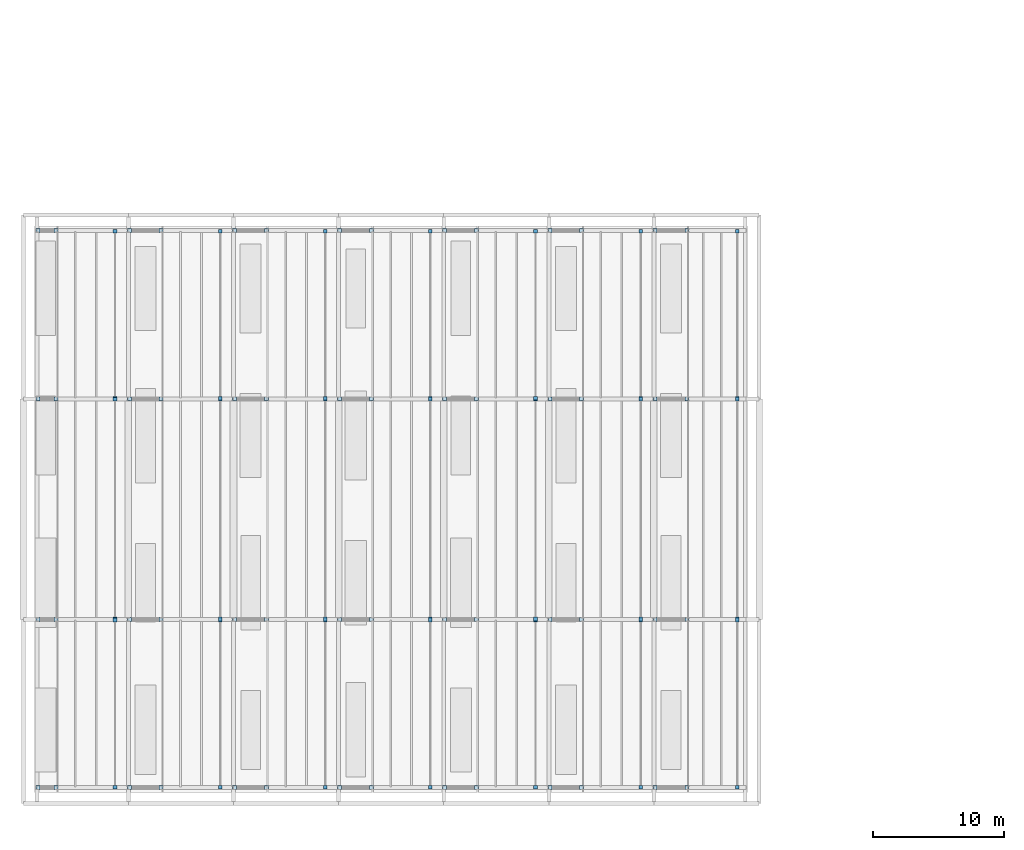
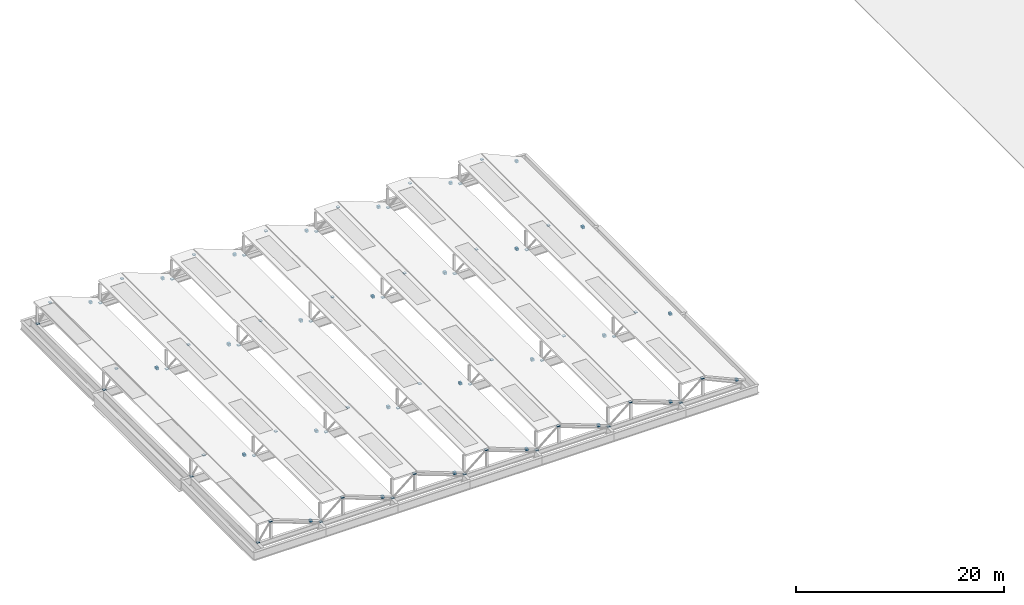
# One storey, part 13 of 14: 98 plates.
"""IFC4 building model written with IfcOpenShell, lengths in metres."""

from ifc_helpers import new_model, si_unit, direction, frame, origin, origin_2d, place, context, subcontext, project, spatial, rectangle, extrude, material, layer, layer_set, type_object, element, save


model = new_model("IFC4")

# Units and contexts
model_context = context("Model", 3, precision=1e-05, world=origin(), true_north=direction((0.0, 1.0)))
body_context = subcontext(model_context, "Body", "Model", "MODEL_VIEW")
ifc_project = project(units=[si_unit("LENGTHUNIT", "METRE"), si_unit("AREAUNIT", "SQUARE_METRE"), si_unit("VOLUMEUNIT", "CUBIC_METRE"), si_unit("PLANEANGLEUNIT", "RADIAN"), si_unit("MASSUNIT", "GRAM", prefix="KILO")], contexts=[model_context])

# Site, building, storey
site_placement = place(None, origin())
site = spatial("IfcSite", under=ifc_project, at=site_placement, CompositionType="ELEMENT")
building_placement = place(site_placement, origin())
building = spatial("IfcBuilding", under=site, at=building_placement, Name="Vekula Escarpment Museum", CompositionType="ELEMENT")
storey_placement = place(building_placement, frame((0.0, 0.0, 30.60009765625)))
storey = spatial("IfcBuildingStorey", under=building, at=storey_placement, Name="RF", CompositionType="ELEMENT", Elevation=30.60009765625)

# Plates
ifc_material = material(Name="Steel S355", Category="steel")
ifc_layer = layer(ifc_material, 0.01611328125)
ifc_layer_set = layer_set([ifc_layer], Name="Steel S355")
plate_type = type_object("IfcPlateType", Name="PL-CAP-16", PredefinedType="SHEET", material=ifc_layer_set)
for number, where, z_axis, x_axis, name in (
    (1, (71.124755859375, 46.800048828125, -2.326171875), (0.0, 0.0, 1.0), (1.0, 0.0, 0.0), "Hollow section end cap CP-16"),
    (2, (72.4951171875, 46.800048828125, -0.30615234375), (0.0, 0.0, 1.0), (1.0, 0.0, 0.0), "Hollow section end cap CP-16"),
    (3, (71.124755859375, 59.60009765625, -2.326171875), (0.0, 0.0, 1.0), (1.0, 0.0, 0.0), "Hollow section end cap CP-16"),
    (4, (72.4951171875, 59.60009765625, -0.30615234375), (0.0, 0.0, 1.0), (1.0, 0.0, 0.0), "Hollow section end cap CP-16"),
    (5, (71.124755859375, 76.39990234375, -2.326171875), (0.0, 0.0, 1.0), (1.0, 0.0, 0.0), "Hollow section end cap CP-16"),
    (6, (72.4951171875, 76.39990234375, -0.30615234375), (0.0, 0.0, 1.0), (1.0, 0.0, 0.0), "Hollow section end cap CP-16"),
    (7, (71.124755859375, 89.199951171875, -2.326171875), (0.0, 0.0, 1.0), (1.0, 0.0, 0.0), "Hollow section end cap CP-16"),
    (8, (72.4951171875, 89.199951171875, -0.30615234375), (0.0, 0.0, 1.0), (1.0, 0.0, 0.0), "Hollow section end cap CP-16"),
):
    element("IfcPlate", number, at=place(storey_placement, frame(where, z_axis=z_axis, x_axis=x_axis)), inside=storey, type_object=plate_type, Name=name, PredefinedType="SHEET", context=body_context, shape_type="SweptSolid", body=[
        extrude(rectangle(XDim=0.300048828125, YDim=0.300048828125, at=origin_2d()), origin(), (0.0, 0.0, 1.0), 0.101806640625),
    ])
for number, where, z_axis, x_axis, name in (
    (9, (76.986083984375, 46.8427734375, -1.919921875), (0.0, 0.0, 1.0), (1.0, 0.0, 0.0), "Hollow section end cap CP-16"),
    (10, (76.986083984375, 59.55712890625, -1.919921875), (0.0, 0.0, 1.0), (1.0, 0.0, 0.0), "Hollow section end cap CP-16"),
    (11, (76.986083984375, 59.642822265625, -1.919921875), (0.0, 0.0, 1.0), (1.0, 0.0, 0.0), "Hollow section end cap CP-16"),
    (12, (76.986083984375, 76.357177734375, -1.919921875), (0.0, 0.0, 1.0), (1.0, 0.0, 0.0), "Hollow section end cap CP-16"),
    (13, (76.986083984375, 76.44287109375, -1.919921875), (0.0, 0.0, 1.0), (1.0, 0.0, 0.0), "Hollow section end cap CP-16"),
    (14, (76.986083984375, 89.1572265625, -1.919921875), (0.0, 0.0, 1.0), (1.0, 0.0, 0.0), "Hollow section end cap CP-16"),
):
    element("IfcPlate", number, at=place(storey_placement, frame(where, z_axis=z_axis, x_axis=x_axis)), inside=storey, type_object=plate_type, Name=name, PredefinedType="SHEET", context=body_context, shape_type="SweptSolid", body=[
        extrude(rectangle(XDim=0.280029296875, YDim=0.280029296875, at=origin_2d()), origin(), (0.0, 0.0, 1.0), 0.280029296875),
    ])
for number, where, z_axis, x_axis, name in (
    (15, (78.074951171875, 46.800048828125, -2.326171875), (0.0, 0.0, 1.0), (1.0, 0.0, 0.0), "Hollow section end cap CP-16"),
    (16, (80.4951171875, 46.800048828125, -0.30615234375), (0.0, 0.0, 1.0), (1.0, 0.0, 0.0), "Hollow section end cap CP-16"),
    (17, (78.074951171875, 59.60009765625, -2.326171875), (0.0, 0.0, 1.0), (1.0, 0.0, 0.0), "Hollow section end cap CP-16"),
    (18, (80.4951171875, 59.60009765625, -0.30615234375), (0.0, 0.0, 1.0), (1.0, 0.0, 0.0), "Hollow section end cap CP-16"),
    (19, (78.074951171875, 76.39990234375, -2.326171875), (0.0, 0.0, 1.0), (1.0, 0.0, 0.0), "Hollow section end cap CP-16"),
    (20, (80.4951171875, 76.39990234375, -0.30615234375), (0.0, 0.0, 1.0), (1.0, 0.0, 0.0), "Hollow section end cap CP-16"),
    (21, (78.074951171875, 89.199951171875, -2.326171875), (0.0, 0.0, 1.0), (1.0, 0.0, 0.0), "Hollow section end cap CP-16"),
    (22, (80.4951171875, 89.199951171875, -0.30615234375), (0.0, 0.0, 1.0), (1.0, 0.0, 0.0), "Hollow section end cap CP-16"),
):
    element("IfcPlate", number, at=place(storey_placement, frame(where, z_axis=z_axis, x_axis=x_axis)), inside=storey, type_object=plate_type, Name=name, PredefinedType="SHEET", context=body_context, shape_type="SweptSolid", body=[
        extrude(rectangle(XDim=0.300048828125, YDim=0.300048828125, at=origin_2d()), origin(), (0.0, 0.0, 1.0), 0.101806640625),
    ])
for number, where, z_axis, x_axis, name in (
    (23, (84.986083984375, 46.8427734375, -1.919921875), (0.0, 0.0, 1.0), (1.0, 0.0, 0.0), "Hollow section end cap CP-16"),
    (24, (84.986083984375, 59.55712890625, -1.919921875), (0.0, 0.0, 1.0), (1.0, 0.0, 0.0), "Hollow section end cap CP-16"),
    (25, (84.986083984375, 59.642822265625, -1.919921875), (0.0, 0.0, 1.0), (1.0, 0.0, 0.0), "Hollow section end cap CP-16"),
    (26, (84.986083984375, 76.357177734375, -1.919921875), (0.0, 0.0, 1.0), (1.0, 0.0, 0.0), "Hollow section end cap CP-16"),
    (27, (84.986083984375, 76.44287109375, -1.919921875), (0.0, 0.0, 1.0), (1.0, 0.0, 0.0), "Hollow section end cap CP-16"),
    (28, (84.986083984375, 89.1572265625, -1.919921875), (0.0, 0.0, 1.0), (1.0, 0.0, 0.0), "Hollow section end cap CP-16"),
):
    element("IfcPlate", number, at=place(storey_placement, frame(where, z_axis=z_axis, x_axis=x_axis)), inside=storey, type_object=plate_type, Name=name, PredefinedType="SHEET", context=body_context, shape_type="SweptSolid", body=[
        extrude(rectangle(XDim=0.280029296875, YDim=0.280029296875, at=origin_2d()), origin(), (0.0, 0.0, 1.0), 0.280029296875),
    ])
for number, where, z_axis, x_axis, name in (
    (29, (86.074951171875, 46.800048828125, -2.326171875), (0.0, 0.0, 1.0), (1.0, 0.0, 0.0), "Hollow section end cap CP-16"),
    (30, (88.4951171875, 46.800048828125, -0.30615234375), (0.0, 0.0, 1.0), (1.0, 0.0, 0.0), "Hollow section end cap CP-16"),
    (31, (86.074951171875, 59.60009765625, -2.326171875), (0.0, 0.0, 1.0), (1.0, 0.0, 0.0), "Hollow section end cap CP-16"),
    (32, (88.4951171875, 59.60009765625, -0.30615234375), (0.0, 0.0, 1.0), (1.0, 0.0, 0.0), "Hollow section end cap CP-16"),
    (33, (86.074951171875, 76.39990234375, -2.326171875), (0.0, 0.0, 1.0), (1.0, 0.0, 0.0), "Hollow section end cap CP-16"),
    (34, (88.4951171875, 76.39990234375, -0.30615234375), (0.0, 0.0, 1.0), (1.0, 0.0, 0.0), "Hollow section end cap CP-16"),
    (35, (86.074951171875, 89.199951171875, -2.326171875), (0.0, 0.0, 1.0), (1.0, 0.0, 0.0), "Hollow section end cap CP-16"),
    (36, (88.4951171875, 89.199951171875, -0.30615234375), (0.0, 0.0, 1.0), (1.0, 0.0, 0.0), "Hollow section end cap CP-16"),
):
    element("IfcPlate", number, at=place(storey_placement, frame(where, z_axis=z_axis, x_axis=x_axis)), inside=storey, type_object=plate_type, Name=name, PredefinedType="SHEET", context=body_context, shape_type="SweptSolid", body=[
        extrude(rectangle(XDim=0.300048828125, YDim=0.300048828125, at=origin_2d()), origin(), (0.0, 0.0, 1.0), 0.101806640625),
    ])
for number, where, z_axis, x_axis, name in (
    (37, (92.986083984375, 46.8427734375, -1.919921875), (0.0, 0.0, 1.0), (1.0, 0.0, 0.0), "Hollow section end cap CP-16"),
    (38, (92.986083984375, 59.55712890625, -1.919921875), (0.0, 0.0, 1.0), (1.0, 0.0, 0.0), "Hollow section end cap CP-16"),
    (39, (92.986083984375, 59.642822265625, -1.919921875), (0.0, 0.0, 1.0), (1.0, 0.0, 0.0), "Hollow section end cap CP-16"),
    (40, (92.986083984375, 76.357177734375, -1.919921875), (0.0, 0.0, 1.0), (1.0, 0.0, 0.0), "Hollow section end cap CP-16"),
    (41, (92.986083984375, 76.44287109375, -1.919921875), (0.0, 0.0, 1.0), (1.0, 0.0, 0.0), "Hollow section end cap CP-16"),
    (42, (92.986083984375, 89.1572265625, -1.919921875), (0.0, 0.0, 1.0), (1.0, 0.0, 0.0), "Hollow section end cap CP-16"),
):
    element("IfcPlate", number, at=place(storey_placement, frame(where, z_axis=z_axis, x_axis=x_axis)), inside=storey, type_object=plate_type, Name=name, PredefinedType="SHEET", context=body_context, shape_type="SweptSolid", body=[
        extrude(rectangle(XDim=0.280029296875, YDim=0.280029296875, at=origin_2d()), origin(), (0.0, 0.0, 1.0), 0.280029296875),
    ])
for number, where, z_axis, x_axis, name in (
    (43, (94.074951171875, 46.800048828125, -2.326171875), (0.0, 0.0, 1.0), (1.0, 0.0, 0.0), "Hollow section end cap CP-16"),
    (44, (96.4951171875, 46.800048828125, -0.30615234375), (0.0, 0.0, 1.0), (1.0, 0.0, 0.0), "Hollow section end cap CP-16"),
    (45, (94.074951171875, 59.60009765625, -2.326171875), (0.0, 0.0, 1.0), (1.0, 0.0, 0.0), "Hollow section end cap CP-16"),
    (46, (96.4951171875, 59.60009765625, -0.30615234375), (0.0, 0.0, 1.0), (1.0, 0.0, 0.0), "Hollow section end cap CP-16"),
    (47, (94.074951171875, 76.39990234375, -2.326171875), (0.0, 0.0, 1.0), (1.0, 0.0, 0.0), "Hollow section end cap CP-16"),
    (48, (96.4951171875, 76.39990234375, -0.30615234375), (0.0, 0.0, 1.0), (1.0, 0.0, 0.0), "Hollow section end cap CP-16"),
    (49, (94.074951171875, 89.199951171875, -2.326171875), (0.0, 0.0, 1.0), (1.0, 0.0, 0.0), "Hollow section end cap CP-16"),
    (50, (96.4951171875, 89.199951171875, -0.30615234375), (0.0, 0.0, 1.0), (1.0, 0.0, 0.0), "Hollow section end cap CP-16"),
):
    element("IfcPlate", number, at=place(storey_placement, frame(where, z_axis=z_axis, x_axis=x_axis)), inside=storey, type_object=plate_type, Name=name, PredefinedType="SHEET", context=body_context, shape_type="SweptSolid", body=[
        extrude(rectangle(XDim=0.300048828125, YDim=0.300048828125, at=origin_2d()), origin(), (0.0, 0.0, 1.0), 0.101806640625),
    ])
for number, where, z_axis, x_axis, name in (
    (51, (100.986083984375, 46.8427734375, -1.919921875), (0.0, 0.0, 1.0), (1.0, 0.0, 0.0), "Hollow section end cap CP-16"),
    (52, (100.986083984375, 59.55712890625, -1.919921875), (0.0, 0.0, 1.0), (1.0, 0.0, 0.0), "Hollow section end cap CP-16"),
    (53, (100.986083984375, 59.642822265625, -1.919921875), (0.0, 0.0, 1.0), (1.0, 0.0, 0.0), "Hollow section end cap CP-16"),
    (54, (100.986083984375, 76.357177734375, -1.919921875), (0.0, 0.0, 1.0), (1.0, 0.0, 0.0), "Hollow section end cap CP-16"),
    (55, (100.986083984375, 76.44287109375, -1.919921875), (0.0, 0.0, 1.0), (1.0, 0.0, 0.0), "Hollow section end cap CP-16"),
    (56, (100.986083984375, 89.1572265625, -1.919921875), (0.0, 0.0, 1.0), (1.0, 0.0, 0.0), "Hollow section end cap CP-16"),
):
    element("IfcPlate", number, at=place(storey_placement, frame(where, z_axis=z_axis, x_axis=x_axis)), inside=storey, type_object=plate_type, Name=name, PredefinedType="SHEET", context=body_context, shape_type="SweptSolid", body=[
        extrude(rectangle(XDim=0.280029296875, YDim=0.280029296875, at=origin_2d()), origin(), (0.0, 0.0, 1.0), 0.280029296875),
    ])
for number, where, z_axis, x_axis, name in (
    (57, (102.074951171875, 46.800048828125, -2.326171875), (0.0, 0.0, 1.0), (1.0, 0.0, 0.0), "Hollow section end cap CP-16"),
    (58, (104.4951171875, 46.800048828125, -0.30615234375), (0.0, 0.0, 1.0), (1.0, 0.0, 0.0), "Hollow section end cap CP-16"),
    (59, (102.074951171875, 59.60009765625, -2.326171875), (0.0, 0.0, 1.0), (1.0, 0.0, 0.0), "Hollow section end cap CP-16"),
    (60, (104.4951171875, 59.60009765625, -0.30615234375), (0.0, 0.0, 1.0), (1.0, 0.0, 0.0), "Hollow section end cap CP-16"),
    (61, (102.074951171875, 76.39990234375, -2.326171875), (0.0, 0.0, 1.0), (1.0, 0.0, 0.0), "Hollow section end cap CP-16"),
    (62, (104.4951171875, 76.39990234375, -0.30615234375), (0.0, 0.0, 1.0), (1.0, 0.0, 0.0), "Hollow section end cap CP-16"),
    (63, (102.074951171875, 89.199951171875, -2.326171875), (0.0, 0.0, 1.0), (1.0, 0.0, 0.0), "Hollow section end cap CP-16"),
    (64, (104.4951171875, 89.199951171875, -0.30615234375), (0.0, 0.0, 1.0), (1.0, 0.0, 0.0), "Hollow section end cap CP-16"),
):
    element("IfcPlate", number, at=place(storey_placement, frame(where, z_axis=z_axis, x_axis=x_axis)), inside=storey, type_object=plate_type, Name=name, PredefinedType="SHEET", context=body_context, shape_type="SweptSolid", body=[
        extrude(rectangle(XDim=0.300048828125, YDim=0.300048828125, at=origin_2d()), origin(), (0.0, 0.0, 1.0), 0.101806640625),
    ])
for number, where, z_axis, x_axis, name in (
    (65, (108.986083984375, 46.8427734375, -1.919921875), (0.0, 0.0, 1.0), (1.0, 0.0, 0.0), "Hollow section end cap CP-16"),
    (66, (108.986083984375, 59.55712890625, -1.919921875), (0.0, 0.0, 1.0), (1.0, 0.0, 0.0), "Hollow section end cap CP-16"),
    (67, (108.986083984375, 59.642822265625, -1.919921875), (0.0, 0.0, 1.0), (1.0, 0.0, 0.0), "Hollow section end cap CP-16"),
    (68, (108.986083984375, 76.357177734375, -1.919921875), (0.0, 0.0, 1.0), (1.0, 0.0, 0.0), "Hollow section end cap CP-16"),
    (69, (108.986083984375, 76.44287109375, -1.919921875), (0.0, 0.0, 1.0), (1.0, 0.0, 0.0), "Hollow section end cap CP-16"),
    (70, (108.986083984375, 89.1572265625, -1.919921875), (0.0, 0.0, 1.0), (1.0, 0.0, 0.0), "Hollow section end cap CP-16"),
):
    element("IfcPlate", number, at=place(storey_placement, frame(where, z_axis=z_axis, x_axis=x_axis)), inside=storey, type_object=plate_type, Name=name, PredefinedType="SHEET", context=body_context, shape_type="SweptSolid", body=[
        extrude(rectangle(XDim=0.280029296875, YDim=0.280029296875, at=origin_2d()), origin(), (0.0, 0.0, 1.0), 0.280029296875),
    ])
for number, where, z_axis, x_axis, name in (
    (71, (110.074951171875, 46.800048828125, -2.326171875), (0.0, 0.0, 1.0), (1.0, 0.0, 0.0), "Hollow section end cap CP-16"),
    (72, (112.4951171875, 46.800048828125, -0.30615234375), (0.0, 0.0, 1.0), (1.0, 0.0, 0.0), "Hollow section end cap CP-16"),
    (73, (110.074951171875, 59.60009765625, -2.326171875), (0.0, 0.0, 1.0), (1.0, 0.0, 0.0), "Hollow section end cap CP-16"),
    (74, (112.4951171875, 59.60009765625, -0.30615234375), (0.0, 0.0, 1.0), (1.0, 0.0, 0.0), "Hollow section end cap CP-16"),
    (75, (110.074951171875, 76.39990234375, -2.326171875), (0.0, 0.0, 1.0), (1.0, 0.0, 0.0), "Hollow section end cap CP-16"),
    (76, (112.4951171875, 76.39990234375, -0.30615234375), (0.0, 0.0, 1.0), (1.0, 0.0, 0.0), "Hollow section end cap CP-16"),
    (77, (110.074951171875, 89.199951171875, -2.326171875), (0.0, 0.0, 1.0), (1.0, 0.0, 0.0), "Hollow section end cap CP-16"),
    (78, (112.4951171875, 89.199951171875, -0.30615234375), (0.0, 0.0, 1.0), (1.0, 0.0, 0.0), "Hollow section end cap CP-16"),
):
    element("IfcPlate", number, at=place(storey_placement, frame(where, z_axis=z_axis, x_axis=x_axis)), inside=storey, type_object=plate_type, Name=name, PredefinedType="SHEET", context=body_context, shape_type="SweptSolid", body=[
        extrude(rectangle(XDim=0.300048828125, YDim=0.300048828125, at=origin_2d()), origin(), (0.0, 0.0, 1.0), 0.101806640625),
    ])
for number, where, z_axis, x_axis, name in (
    (79, (116.986083984375, 46.8427734375, -1.919921875), (0.0, 0.0, 1.0), (1.0, 0.0, 0.0), "Hollow section end cap CP-16"),
    (80, (116.986083984375, 59.55712890625, -1.919921875), (0.0, 0.0, 1.0), (1.0, 0.0, 0.0), "Hollow section end cap CP-16"),
    (81, (116.986083984375, 59.642822265625, -1.919921875), (0.0, 0.0, 1.0), (1.0, 0.0, 0.0), "Hollow section end cap CP-16"),
    (82, (116.986083984375, 76.357177734375, -1.919921875), (0.0, 0.0, 1.0), (1.0, 0.0, 0.0), "Hollow section end cap CP-16"),
    (83, (116.986083984375, 76.44287109375, -1.919921875), (0.0, 0.0, 1.0), (1.0, 0.0, 0.0), "Hollow section end cap CP-16"),
    (84, (116.986083984375, 89.1572265625, -1.919921875), (0.0, 0.0, 1.0), (1.0, 0.0, 0.0), "Hollow section end cap CP-16"),
):
    element("IfcPlate", number, at=place(storey_placement, frame(where, z_axis=z_axis, x_axis=x_axis)), inside=storey, type_object=plate_type, Name=name, PredefinedType="SHEET", context=body_context, shape_type="SweptSolid", body=[
        extrude(rectangle(XDim=0.280029296875, YDim=0.280029296875, at=origin_2d()), origin(), (0.0, 0.0, 1.0), 0.280029296875),
    ])
for number, where, z_axis, x_axis, name in (
    (85, (118.074951171875, 46.800048828125, -2.326171875), (0.0, 0.0, 1.0), (1.0, 0.0, 0.0), "Hollow section end cap CP-16"),
    (86, (120.4951171875, 46.800048828125, -0.30615234375), (0.0, 0.0, 1.0), (1.0, 0.0, 0.0), "Hollow section end cap CP-16"),
    (87, (118.074951171875, 59.60009765625, -2.326171875), (0.0, 0.0, 1.0), (1.0, 0.0, 0.0), "Hollow section end cap CP-16"),
    (88, (120.4951171875, 59.60009765625, -0.30615234375), (0.0, 0.0, 1.0), (1.0, 0.0, 0.0), "Hollow section end cap CP-16"),
    (89, (118.074951171875, 76.39990234375, -2.326171875), (0.0, 0.0, 1.0), (1.0, 0.0, 0.0), "Hollow section end cap CP-16"),
    (90, (120.4951171875, 76.39990234375, -0.30615234375), (0.0, 0.0, 1.0), (1.0, 0.0, 0.0), "Hollow section end cap CP-16"),
    (91, (118.074951171875, 89.199951171875, -2.326171875), (0.0, 0.0, 1.0), (1.0, 0.0, 0.0), "Hollow section end cap CP-16"),
    (92, (120.4951171875, 89.199951171875, -0.30615234375), (0.0, 0.0, 1.0), (1.0, 0.0, 0.0), "Hollow section end cap CP-16"),
):
    element("IfcPlate", number, at=place(storey_placement, frame(where, z_axis=z_axis, x_axis=x_axis)), inside=storey, type_object=plate_type, Name=name, PredefinedType="SHEET", context=body_context, shape_type="SweptSolid", body=[
        extrude(rectangle(XDim=0.300048828125, YDim=0.300048828125, at=origin_2d()), origin(), (0.0, 0.0, 1.0), 0.101806640625),
    ])
for number, where, z_axis, x_axis, name in (
    (93, (124.330078125, 46.8427734375, -1.919921875), (0.0, 0.0, 1.0), (1.0, 0.0, 0.0), "Hollow section end cap CP-16"),
    (94, (124.330078125, 59.55712890625, -1.919921875), (0.0, 0.0, 1.0), (1.0, 0.0, 0.0), "Hollow section end cap CP-16"),
    (95, (124.330078125, 59.642822265625, -1.919921875), (0.0, 0.0, 1.0), (1.0, 0.0, 0.0), "Hollow section end cap CP-16"),
    (96, (124.330078125, 76.357177734375, -1.919921875), (0.0, 0.0, 1.0), (1.0, 0.0, 0.0), "Hollow section end cap CP-16"),
    (97, (124.330078125, 76.44287109375, -1.919921875), (0.0, 0.0, 1.0), (1.0, 0.0, 0.0), "Hollow section end cap CP-16"),
    (98, (124.330078125, 89.1572265625, -1.919921875), (0.0, 0.0, 1.0), (1.0, 0.0, 0.0), "Hollow section end cap CP-16"),
):
    element("IfcPlate", number, at=place(storey_placement, frame(where, z_axis=z_axis, x_axis=x_axis)), inside=storey, type_object=plate_type, Name=name, PredefinedType="SHEET", context=body_context, shape_type="SweptSolid", body=[
        extrude(rectangle(XDim=0.280029296875, YDim=0.280029296875, at=origin_2d()), origin(), (0.0, 0.0, 1.0), 0.280029296875),
    ])

save(model, "model.ifc")
